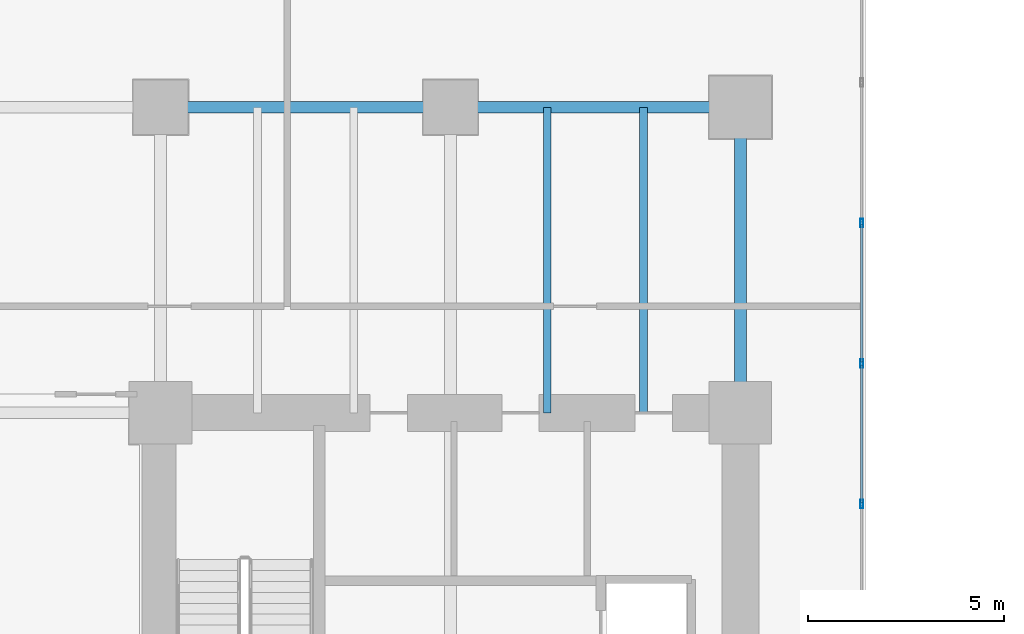
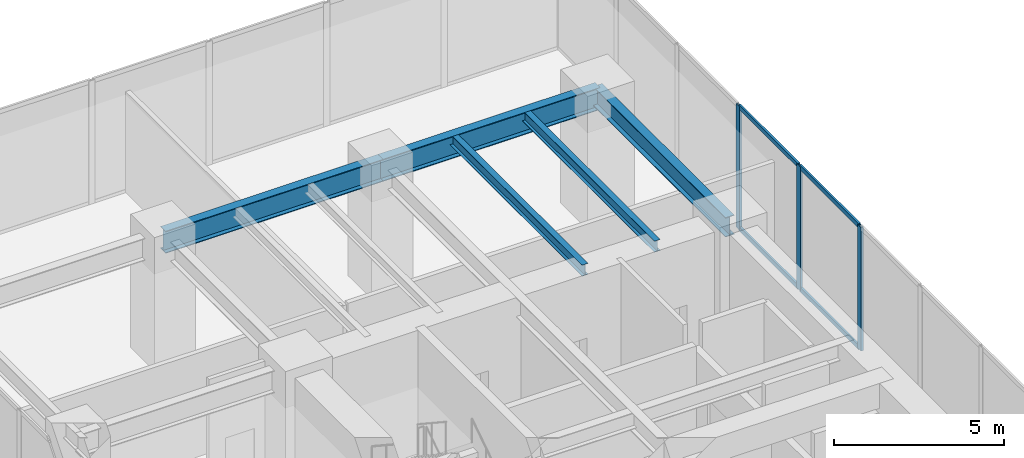
# One storey, part 13 of 33: 7 members, 5 beams, 1 element without a shape of its own.
"""IFC4 building model written with IfcOpenShell, lengths in metres."""

from ifc_helpers import new_model, si_unit, direction, frame, origin, origin_2d, place, context, subcontext, project, spatial, hollow_rectangle, i_section, extrude, source, transform, mapped, material, layer, layer_set, material_profile, profile_set, type_object, type_shapes, element, aggregate, save


model = new_model("IFC4")

# Units and contexts
model_context = context("Model", 3, precision=1e-05, world=origin(), true_north=direction((0.0, 1.0)))
body_context = subcontext(model_context, "Body", "Model", "MODEL_VIEW")
ifc_project = project(units=[si_unit("LENGTHUNIT", "METRE"), si_unit("AREAUNIT", "SQUARE_METRE"), si_unit("VOLUMEUNIT", "CUBIC_METRE"), si_unit("PLANEANGLEUNIT", "RADIAN"), si_unit("MASSUNIT", "GRAM", prefix="KILO")], contexts=[model_context])

# Site, building, storey
site_placement = place(None, origin())
site = spatial("IfcSite", under=ifc_project, at=site_placement, CompositionType="ELEMENT")
building_placement = place(site_placement, origin())
building = spatial("IfcBuilding", under=site, at=building_placement, Name="Haelvirn Gate Laboratories", CompositionType="ELEMENT")
storey_placement = place(building_placement, frame((0.0, 0.0, 10.199951171875)))
storey = spatial("IfcBuildingStorey", under=building, at=storey_placement, Name="L03", CompositionType="ELEMENT", Elevation=10.199951171875)

# Beams
ifc_material_1 = material(Name="Steel SM420", Category="steel")
ifc_material_profile_1 = material_profile(ifc_material_1, i_section(OverallWidth=0.300048828125, OverallDepth=0.800048828125, WebThickness=0.013916015625, FlangeThickness=0.02587890625, at=origin_2d()), Name="H-800x300x14x26")
ifc_profile_set_1 = profile_set([ifc_material_profile_1], Name="Steel SM420")
beam_type_1 = type_object("IfcBeamType", Name="BM-G-800", PredefinedType="BEAM", material=ifc_profile_set_1)
shared_shape_1 = source(origin(), body_context, "Body", "SweptSolid", [
    extrude(i_section(OverallWidth=0.300048828125, OverallDepth=0.800048828125, WebThickness=0.013916015625, FlangeThickness=0.02587890625, at=origin_2d()), origin(), (0.0, 0.0, 1.0), 7.400146484375),
])
beam_1_placement = place(storey_placement, frame((7.39990234375, 41.60009765625, 4.050048828125), z_axis=(1.0, 0.0, 0.0), x_axis=(0.0, 1.0, 0.0)))
element("IfcBeam", 1, at=beam_1_placement, inside=storey, type_object=beam_type_1, Name="L03 Primary Girder Y41.6 (7.4-14.8)", PredefinedType="BEAM", context=body_context, shape_type="MappedRepresentation", body=[
    mapped(shared_shape_1, transform((0.0, 0.0, 0.0), scale=1.0)),
])
shared_shape_2 = source(origin(), body_context, "Body", "SweptSolid", [
    extrude(i_section(OverallWidth=0.300048828125, OverallDepth=0.800048828125, WebThickness=0.013916015625, FlangeThickness=0.02587890625, at=origin_2d()), origin(), (0.0, 0.0, 1.0), 7.39990234375),
])
type_shapes(beam_type_1, [shared_shape_1, shared_shape_2])
beam_2_placement = place(storey_placement, frame((14.800048828125, 41.60009765625, 4.050048828125), z_axis=(1.0, 0.0, 0.0), x_axis=(0.0, 1.0, 0.0)))
element("IfcBeam", 2, at=beam_2_placement, inside=storey, type_object=beam_type_1, Name="L03 Primary Girder Y41.6 (14.8-22.2)", PredefinedType="BEAM", context=body_context, shape_type="MappedRepresentation", body=[
    mapped(shared_shape_2, transform((0.0, 0.0, 0.0), scale=1.0)),
])
ifc_material_2 = material(Name="Steel SM355", Category="steel")
ifc_material_profile_2 = material_profile(ifc_material_2, i_section(OverallWidth=0.199951171875, OverallDepth=0.39990234375, WebThickness=0.008056640625, FlangeThickness=0.012939453125, at=origin_2d()), Name="H-400x200x8x13")
ifc_profile_set_2 = profile_set([ifc_material_profile_2], Name="Steel SM355")
beam_type_2 = type_object("IfcBeamType", Name="BM-J-400", PredefinedType="JOIST", material=ifc_profile_set_2)
shared_shape_3 = source(origin(), body_context, "Body", "SweptSolid", [
    extrude(i_section(OverallWidth=0.199951171875, OverallDepth=0.39990234375, WebThickness=0.008056640625, FlangeThickness=0.012939453125, at=origin_2d()), origin(), (0.0, 0.0, 1.0), 7.800048828125),
])
type_shapes(beam_type_2, [shared_shape_3])
for number, where, z_axis, x_axis, name in (
    (3, (17.27001953125, 33.800048828125, 4.25), (0.0, 1.0, 0.0), (-1.0, 0.0, 0.0), "L03 Composite Lab Joist North X17.27"),
    (4, (19.72998046875, 33.800048828125, 4.25), (0.0, 1.0, 0.0), (-1.0, 0.0, 0.0), "L03 Composite Lab Joist North X19.73"),
):
    element("IfcBeam", number, at=place(storey_placement, frame(where, z_axis=z_axis, x_axis=x_axis)), inside=storey, type_object=beam_type_2, Name=name, PredefinedType="JOIST", context=body_context, shape_type="MappedRepresentation", body=[
        mapped(shared_shape_3, transform((0.0, 0.0, 0.0), scale=1.0)),
    ])
ifc_material_profile_3 = material_profile(ifc_material_2, i_section(OverallWidth=0.300048828125, OverallDepth=0.699951171875, WebThickness=0.012939453125, FlangeThickness=0.02392578125, at=origin_2d()), Name="H-700x300x13x24")
ifc_profile_set_3 = profile_set([ifc_material_profile_3], Name="Steel SM355")
beam_type_3 = type_object("IfcBeamType", Name="BM-G-700", PredefinedType="BEAM", material=ifc_profile_set_3)
shared_shape_4 = source(origin(), body_context, "Body", "SweptSolid", [
    extrude(i_section(OverallWidth=0.300048828125, OverallDepth=0.699951171875, WebThickness=0.012939453125, FlangeThickness=0.02392578125, at=origin_2d()), origin(), (0.0, 0.0, 1.0), 7.800048828125),
])
type_shapes(beam_type_3, [shared_shape_4])
beam_3_placement = place(storey_placement, frame((22.199951171875, 33.800048828125, 4.10009765625), z_axis=(0.0, 1.0, 0.0), x_axis=(-1.0, 0.0, 0.0)))
element("IfcBeam", 5, at=beam_3_placement, inside=storey, type_object=beam_type_3, Name="L03 Frame Girder X22.2 (33.8-41.6)", PredefinedType="BEAM", context=body_context, shape_type="MappedRepresentation", body=[
    mapped(shared_shape_4, transform((0.0, 0.0, 0.0), scale=1.0)),
])

# Curtain wall, members
ifc_material_3 = material(Name="Anodised bronze unitised aluminium & triple low-E glass", Category="aluminium")
ifc_layer = layer(ifc_material_3, 0.18798828125, Name="CW-SYS-1")
ifc_layer_set = layer_set([ifc_layer], Name="Anodised bronze unitised aluminium & triple low-E glass")
curtain_wall_type = type_object("IfcCurtainWallType", Name="CW-SYS-1", PredefinedType="NOTDEFINED", material=ifc_layer_set)
curtain_wall_placement = place(storey_placement, origin())
curtain_wall = element("IfcCurtainWall", 6, at=curtain_wall_placement, inside=storey, type_object=curtain_wall_type, Name="L03 Unitised Curtain Wall CW-L03-P0-E01", PredefinedType="NOTDEFINED")
ifc_material_4 = material(Name="Extruded aluminium 6063-T6 (anodised bronze)", Category="aluminium")
ifc_material_profile_4 = material_profile(ifc_material_4, hollow_rectangle(XDim=0.070068359375, YDim=0.159912109375, WallThickness=0.0048828125, at=origin_2d()), Name="CWT-160x70x5")
ifc_profile_set_4 = profile_set([ifc_material_profile_4], Name="Extruded aluminium 6063-T6 (anodised bronze)")
member_type_1 = type_object("IfcMemberType", Name="CWT-T160", PredefinedType="USERDEFINED", material=ifc_profile_set_4)
shared_shape_5 = source(origin(), body_context, "Body", "SweptSolid", [
    extrude(hollow_rectangle(XDim=0.070068359375, YDim=0.159912109375, WallThickness=0.0048828125, at=origin_2d()), origin(), (0.0, 0.0, 1.0), 3.505615234375),
])
type_shapes(member_type_1, [shared_shape_5])
member_1_placement = place(storey_placement, frame((25.300048828125, 31.511474609375, 0.03515625), z_axis=(0.0, 1.0, 0.0), x_axis=(-1.0, 0.0, 0.0)))
member_1 = element("IfcMember", 7, at=member_1_placement, type_object=member_type_1, Name="CW1 transom 10.1", ObjectType="TRANSOM", PredefinedType="USERDEFINED", context=body_context, shape_type="MappedRepresentation", body=[
    mapped(shared_shape_5, transform((0.0, 0.0, 0.0), scale=1.0)),
])
member_2_placement = place(storey_placement, frame((25.300048828125, 31.511474609375, 4.4150390625), z_axis=(0.0, 1.0, 0.0), x_axis=(-1.0, 0.0, 0.0)))
member_2 = element("IfcMember", 8, at=member_2_placement, type_object=member_type_1, Name="CW1 transom 10.2", ObjectType="TRANSOM", PredefinedType="USERDEFINED", context=body_context, shape_type="MappedRepresentation", body=[
    mapped(shared_shape_5, transform((0.0, 0.0, 0.0), scale=1.0)),
])
member_3_placement = place(storey_placement, frame((25.300048828125, 35.09716796875, 0.03515625), z_axis=(0.0, 1.0, 0.0), x_axis=(-1.0, 0.0, 0.0)))
member_3 = element("IfcMember", 9, at=member_3_placement, type_object=member_type_1, Name="CW1 transom 11.1", ObjectType="TRANSOM", PredefinedType="USERDEFINED", context=body_context, shape_type="MappedRepresentation", body=[
    mapped(shared_shape_5, transform((0.0, 0.0, 0.0), scale=1.0)),
])
member_4_placement = place(storey_placement, frame((25.300048828125, 35.09716796875, 4.4150390625), z_axis=(0.0, 1.0, 0.0), x_axis=(-1.0, 0.0, 0.0)))
member_4 = element("IfcMember", 10, at=member_4_placement, type_object=member_type_1, Name="CW1 transom 11.2", ObjectType="TRANSOM", PredefinedType="USERDEFINED", context=body_context, shape_type="MappedRepresentation", body=[
    mapped(shared_shape_5, transform((0.0, 0.0, 0.0), scale=1.0)),
])
ifc_material_profile_5 = material_profile(ifc_material_4, hollow_rectangle(XDim=0.080078125, YDim=0.219970703125, WallThickness=0.006103515625, at=origin_2d()), Name="CWM-220x80x6")
ifc_profile_set_5 = profile_set([ifc_material_profile_5], Name="Extruded aluminium 6063-T6 (anodised bronze)")
member_type_2 = type_object("IfcMemberType", Name="CWM-T220", PredefinedType="MULLION", material=ifc_profile_set_5)
shared_shape_6 = source(origin(), body_context, "Body", "SweptSolid", [
    extrude(hollow_rectangle(XDim=0.080078125, YDim=0.219970703125, WallThickness=0.006103515625, at=origin_2d()), origin(), (0.0, 0.0, 1.0), 4.449951171875),
])
type_shapes(member_type_2, [shared_shape_6])
member_5_placement = place(storey_placement, frame((25.300048828125, 31.471435546875, 0.0), z_axis=(0.0, 0.0, 1.0), x_axis=(-1.0, 0.0, 0.0)))
member_5 = element("IfcMember", 11, at=member_5_placement, type_object=member_type_2, Name="CW1 mullion 10", PredefinedType="MULLION", context=body_context, shape_type="MappedRepresentation", body=[
    mapped(shared_shape_6, transform((0.0, 0.0, 0.0), scale=1.0)),
])
member_6_placement = place(storey_placement, frame((25.300048828125, 35.05712890625, 0.0), z_axis=(0.0, 0.0, 1.0), x_axis=(-1.0, 0.0, 0.0)))
member_6 = element("IfcMember", 12, at=member_6_placement, type_object=member_type_2, Name="CW1 mullion 11", PredefinedType="MULLION", context=body_context, shape_type="MappedRepresentation", body=[
    mapped(shared_shape_6, transform((0.0, 0.0, 0.0), scale=1.0)),
])
member_7_placement = place(storey_placement, frame((25.300048828125, 38.642822265625, 0.0), z_axis=(0.0, 0.0, 1.0), x_axis=(-1.0, 0.0, 0.0)))
member_7 = element("IfcMember", 13, at=member_7_placement, type_object=member_type_2, Name="CW1 mullion 12", PredefinedType="MULLION", context=body_context, shape_type="MappedRepresentation", body=[
    mapped(shared_shape_6, transform((0.0, 0.0, 0.0), scale=1.0)),
])
aggregate(curtain_wall, [member_5, member_6, member_7, member_1, member_2, member_3, member_4])

save(model, "model.ifc")
